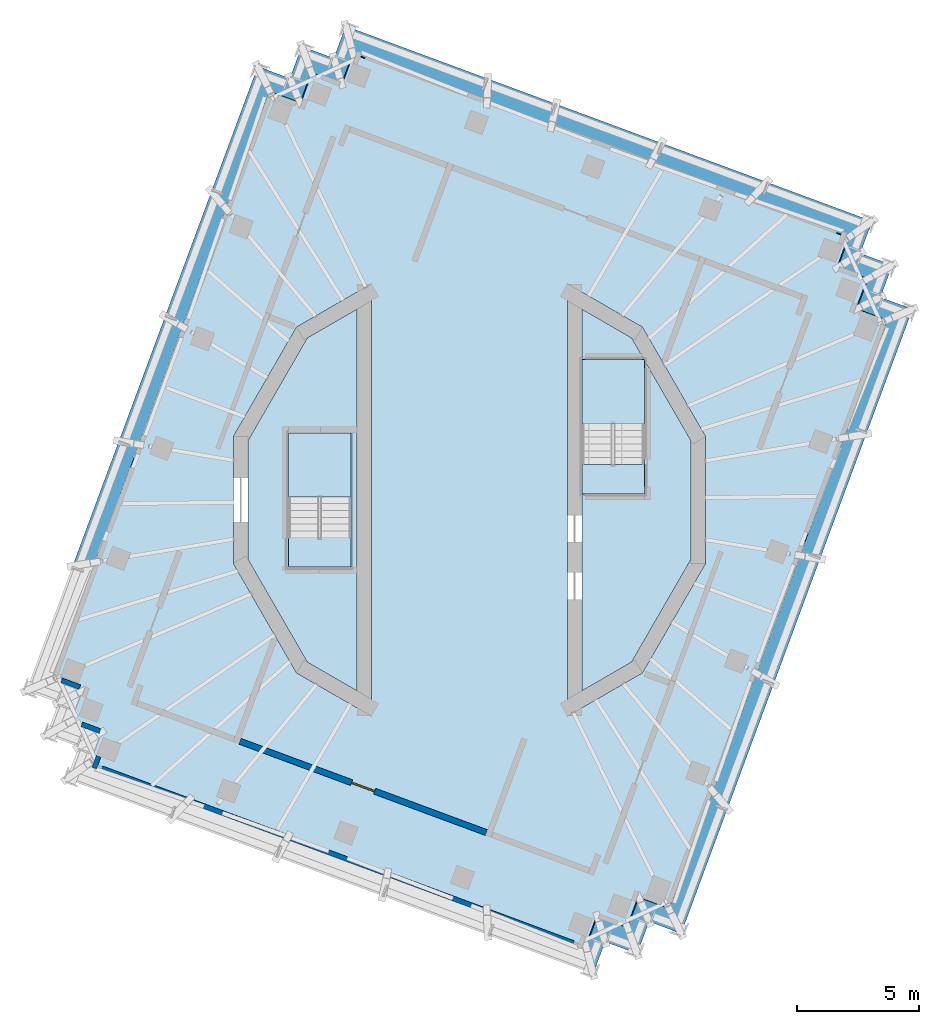
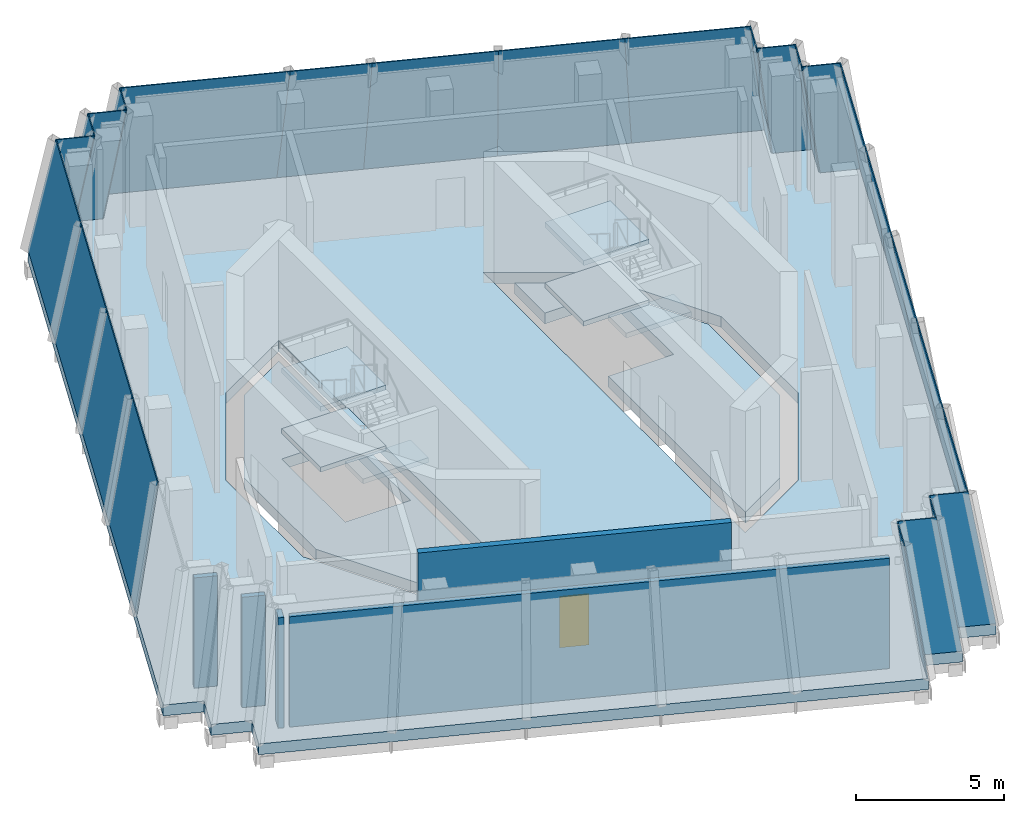
# One storey, part 4 of 13: 26 plates, 10 slabs, 5 walls, 1 door, 1 opening, 28 elements without a shape of their own.
"""IFC4 building model written with IfcOpenShell, lengths in metres."""

from ifc_helpers import new_model, si_unit, direction, frame, frame_2d, origin, place, context, subcontext, project, spatial, polyline, rectangle, outline, extrude, material, layer, layer_set, type_object, element, fill, aggregate, save


model = new_model("IFC4")

# Units and contexts
model_context = context("Model", 3, precision=1e-05, world=origin(), true_north=direction((0.0, 1.0)))
body_context = subcontext(model_context, "Body", "Model", "MODEL_VIEW")
ifc_project = project(units=[si_unit("LENGTHUNIT", "METRE"), si_unit("AREAUNIT", "SQUARE_METRE"), si_unit("VOLUMEUNIT", "CUBIC_METRE"), si_unit("PLANEANGLEUNIT", "RADIAN"), si_unit("MASSUNIT", "GRAM", prefix="KILO")], contexts=[model_context])

# Site, building, storey
site_placement = place(None, origin())
site = spatial("IfcSite", under=ifc_project, at=site_placement, CompositionType="ELEMENT")
building_placement = place(site_placement, origin())
building = spatial("IfcBuilding", under=site, at=building_placement, Name="Cantera Rosa Tower", CompositionType="ELEMENT")
storey_placement = place(building_placement, frame((0.0, 0.0, 350.699951171875)))
storey = spatial("IfcBuildingStorey", under=building, at=storey_placement, Name="L79", CompositionType="ELEMENT", Elevation=350.699951171875)

# Curtain wall, plate
ifc_material_1 = material(Name="Aluminium frame with clear glass", Category="aluminium")
curtain_wall_type = type_object("IfcCurtainWallType", Name="CW4 CROWN GLAZING", PredefinedType="NOTDEFINED", material=ifc_material_1)
curtain_wall_1_placement = place(storey_placement, origin())
curtain_wall_1 = element("IfcCurtainWall", 1, at=curtain_wall_1_placement, inside=storey, type_object=curtain_wall_type, Name="CW4 L79-01", PredefinedType="NOTDEFINED")
ifc_material_2 = material(Name="Aluminium frame with clear glass", Category="aluminium")
ifc_layer_1 = layer(ifc_material_2, 0.0400390625)
ifc_layer_set_1 = layer_set([ifc_layer_1], Name="CW-PANEL CROWN 40")
plate_type = type_object("IfcPlateType", Name="CW-PANEL CROWN 40", PredefinedType="CURTAIN_PANEL", material=ifc_layer_set_1)
plate_1_placement = place(storey_placement, frame((16.468505859375, 11.403076171875, 0.0), z_axis=(0.341522224821, 0.921609746079, 0.184385590232), x_axis=(-0.937687211594, 0.347480493278, -2.096087e-06)))
plate_1 = element("IfcPlate", 2, at=plate_1_placement, type_object=plate_type, Name="CROWN GLAZING L79-01", PredefinedType="CURTAIN_PANEL", context=body_context, shape_type="SweptSolid", body=[
    extrude(outline(polyline([(0.0, 0.0), (4.592070765368151, 0.0), (4.985437888242863, 5.087236283995121), (0.6558540402996874, 5.087217257200142), (0.0, 0.0)])), origin(), (0.0, 0.0, -1.0), 0.0400390625),
])
aggregate(curtain_wall_1, [plate_1])

curtain_wall_2_placement = place(storey_placement, origin())
curtain_wall_2 = element("IfcCurtainWall", 3, at=curtain_wall_2_placement, inside=storey, type_object=curtain_wall_type, Name="CW4 L79-02", PredefinedType="NOTDEFINED")
plate_2_placement = place(storey_placement, frame((12.16259765625, 12.998779296875, 0.0), z_axis=(0.341506968707, 0.921614261854, 0.184391276018), x_axis=(-0.937693003725, 0.347464862634, 6.63717e-07)))
plate_2 = element("IfcPlate", 4, at=plate_2_placement, type_object=plate_type, Name="CROWN GLAZING L79-02", PredefinedType="CURTAIN_PANEL", context=body_context, shape_type="SweptSolid", body=[
    extrude(outline(polyline([(0.0, 0.0), (4.591757004639263, 0.0), (4.722980406988993, 5.0872279834906315), (0.39339655872504253, 5.087234008043115), (0.0, 0.0)])), origin(), (0.0, 0.0, -1.0), 0.0400390625),
])
aggregate(curtain_wall_2, [plate_2])

curtain_wall_3_placement = place(storey_placement, origin())
curtain_wall_3 = element("IfcCurtainWall", 5, at=curtain_wall_3_placement, inside=storey, type_object=curtain_wall_type, Name="CW4 L79-03", PredefinedType="NOTDEFINED")
plate_3_placement = place(storey_placement, frame((7.85693359375, 14.59423828125, 0.0), z_axis=(0.341546443509, 0.921602522504, 0.18437683542), x_axis=(-0.937678598238, 0.347503735807, 2.553921e-06)))
plate_3 = element("IfcPlate", 6, at=plate_3_placement, type_object=plate_type, Name="CROWN GLAZING L79-03", PredefinedType="CURTAIN_PANEL", context=body_context, shape_type="SweptSolid", body=[
    extrude(outline(polyline([(0.0, 0.0), (4.592070765224333, 1.1102230246251565e-16), (4.460862651078163, 5.087205559465082), (0.1311939660491304, 5.087228742334468), (0.0, 0.0)])), origin(), (0.0, 0.0, -1.0), 0.0400390625),
])
aggregate(curtain_wall_3, [plate_3])

curtain_wall_4_placement = place(storey_placement, origin())
curtain_wall_4 = element("IfcCurtainWall", 7, at=curtain_wall_4_placement, inside=storey, type_object=curtain_wall_type, Name="CW4 L79-04", PredefinedType="NOTDEFINED")
plate_4_placement = place(storey_placement, frame((3.551025390625, 16.18994140625, 0.0), z_axis=(0.341520516546, 0.921615967652, 0.184357654974), x_axis=(-0.937688838122, 0.347476104006, 2.443755e-06)))
plate_4 = element("IfcPlate", 8, at=plate_4_placement, type_object=plate_type, Name="CROWN GLAZING L79-04", PredefinedType="CURTAIN_PANEL", context=body_context, shape_type="SweptSolid", body=[
    extrude(outline(polyline([(0.0, 0.0), (2.9777712330029997, 0.0), (2.6763417401322247, 5.087191873869117), (-0.1311810267327554, 5.0872062582702), (0.0, 0.0)])), origin(), (0.0, 0.0, -1.0), 0.0400390625),
])
aggregate(curtain_wall_4, [plate_4])

curtain_wall_5_placement = place(storey_placement, origin())
curtain_wall_5 = element("IfcCurtainWall", 9, at=curtain_wall_5_placement, inside=storey, type_object=curtain_wall_type, Name="CW4 L79-05", PredefinedType="NOTDEFINED")
plate_5_placement = place(storey_placement, frame((0.7587890625, 17.224609375, 0.0), z_axis=(0.341508252087, 0.921620544878, 0.184357492428), x_axis=(-0.937693239662, 0.347464225916, -1.030303e-06)))
plate_5 = element("IfcPlate", 10, at=plate_5_placement, type_object=plate_type, Name="CROWN GLAZING L79-05", PredefinedType="CURTAIN_PANEL", context=body_context, shape_type="SweptSolid", body=[
    extrude(outline(polyline([(0.0, 0.0), (6.206285464193242, -5.551115123125783e-17), (5.55020994701362, 5.087204188559047), (-0.3014349833644322, 5.087191548574853), (0.0, 0.0)])), origin(), (0.0, 0.0, -1.0), 0.0400390625),
])
aggregate(curtain_wall_5, [plate_5])

curtain_wall_6_placement = place(storey_placement, origin())
curtain_wall_6 = element("IfcCurtainWall", 11, at=curtain_wall_6_placement, inside=storey, type_object=curtain_wall_type, Name="CW4 L79-06", PredefinedType="NOTDEFINED")
plate_6_placement = place(storey_placement, frame((-5.060791015625, 19.381103515625, 0.0), z_axis=(-0.929730762182, 0.344499643956, 0.130079610883), x_axis=(-0.347450770163, -0.937698225577, 7.960392e-06)))
plate_6 = element("IfcPlate", 12, at=plate_6_placement, type_object=plate_type, Name="CROWN GLAZING L79-06", PredefinedType="CURTAIN_PANEL", context=body_context, shape_type="SweptSolid", body=[
    extrude(outline(polyline([(0.0, 0.0), (1.399932932883505, 0.0), (2.258013432178528, 5.042828149574177), (0.9379475140119368, 5.042849987373964), (0.0, 0.0)])), origin(), (0.0, 0.0, -1.0), 0.0400390625),
])
aggregate(curtain_wall_6, [plate_6])

curtain_wall_7_placement = place(storey_placement, origin())
curtain_wall_7 = element("IfcCurtainWall", 13, at=curtain_wall_7_placement, inside=storey, type_object=curtain_wall_type, Name="CW4 L79-07", PredefinedType="NOTDEFINED")
plate_7_placement = place(storey_placement, frame((-5.547119140625, 18.068359375, 0.0), z_axis=(0.342524068307, 0.924160367149, 0.169129767991), x_axis=(-0.937668441513, 0.347531140737, -2.940399e-06)))
plate_7 = element("IfcPlate", 14, at=plate_7_placement, type_object=plate_type, Name="CROWN GLAZING L79-07", PredefinedType="CURTAIN_PANEL", context=body_context, shape_type="SweptSolid", body=[
    extrude(outline(polyline([(0.0, 0.0), (1.4000177669687917, -1.3877787807814457e-17), (0.664093496409026, 5.0730858864195545), (-0.6559724244688222, 5.073077771382148), (0.0, 0.0)])), origin(), (0.0, 0.0, -1.0), 0.0400390625),
])
aggregate(curtain_wall_7, [plate_7])

curtain_wall_8_placement = place(storey_placement, origin())
curtain_wall_8 = element("IfcCurtainWall", 15, at=curtain_wall_8_placement, inside=storey, type_object=curtain_wall_type, Name="CW4 L79-08", PredefinedType="NOTDEFINED")
plate_8_placement = place(storey_placement, frame((-6.85986328125, 18.554931640625, 0.0), z_axis=(-0.92767391997, 0.343826305937, 0.145617888853), x_axis=(-0.347531018335, -0.93766848688, -2.541259e-06)))
plate_8 = element("IfcPlate", 16, at=plate_8_placement, type_object=plate_type, Name="CROWN GLAZING L79-08", PredefinedType="CURTAIN_PANEL", context=body_context, shape_type="SweptSolid", body=[
    extrude(outline(polyline([(0.0, 0.0), (1.40001776696718, 0.0), (2.1780871389273977, 5.053875261051842), (0.8580212180448054, 5.053868274140967), (0.0, 0.0)])), origin(), (0.0, 0.0, -1.0), 0.0400390625),
])
aggregate(curtain_wall_8, [plate_8])

curtain_wall_9_placement = place(storey_placement, origin())
curtain_wall_9 = element("IfcCurtainWall", 17, at=curtain_wall_9_placement, inside=storey, type_object=curtain_wall_type, Name="CW4 L79-09", PredefinedType="NOTDEFINED")
plate_9_placement = place(storey_placement, frame((-7.346435546875, 17.2421875, 0.0), z_axis=(0.343426938812, 0.926507697012, 0.153757682982), x_axis=(-0.937657886518, 0.347559617686, 2.059493e-06)))
plate_9 = element("IfcPlate", 18, at=plate_9_placement, type_object=plate_type, Name="CROWN GLAZING L79-09", PredefinedType="CURTAIN_PANEL", context=body_context, shape_type="SweptSolid", body=[
    extrude(outline(polyline([(0.0, 0.0), (1.4000177670547838, 1.3877787807814457e-17), (0.5838647468002559, 5.06017139772412), (-0.7359722523190296, 5.0601770666564745), (0.0, 0.0)])), origin(), (0.0, 0.0, -1.0), 0.0400390625),
])
aggregate(curtain_wall_9, [plate_9])

curtain_wall_10_placement = place(storey_placement, origin())
curtain_wall_10 = element("IfcCurtainWall", 19, at=curtain_wall_10_placement, inside=storey, type_object=curtain_wall_type, Name="CW4 L79-10", PredefinedType="NOTDEFINED")
plate_10_placement = place(storey_placement, frame((-8.6591796875, 17.728759765625, 0.0), z_axis=(-0.925441302354, 0.342950023707, 0.161070410494), x_axis=(-0.347486761499, -0.937684888742, 2.816856e-06)))
plate_10 = element("IfcPlate", 20, at=plate_10_placement, type_object=plate_type, Name="CROWN GLAZING L79-10", PredefinedType="CURTAIN_PANEL", context=body_context, shape_type="SweptSolid", body=[
    extrude(outline(polyline([(0.0, 0.0), (5.446026539598171, -5.551115123125783e-17), (5.913060651244437, 5.06613224933501), (0.7780991972490946, 5.066162448770942), (0.0, 0.0)])), origin(), (0.0, 0.0, -1.0), 0.0400390625),
])
aggregate(curtain_wall_10, [plate_10])

curtain_wall_11_placement = place(storey_placement, origin())
curtain_wall_11 = element("IfcCurtainWall", 21, at=curtain_wall_11_placement, inside=storey, type_object=curtain_wall_type, Name="CW4 L79-11", PredefinedType="NOTDEFINED")
plate_11_placement = place(storey_placement, frame((-10.551513671875, 12.6220703125, 0.0), z_axis=(-0.925438670244, 0.342957487423, 0.161069641576), x_axis=(-0.347495107307, -0.937681795915, -2.590768e-06)))
plate_11 = element("IfcPlate", 22, at=plate_11_placement, type_object=plate_type, Name="CROWN GLAZING L79-11", PredefinedType="CURTAIN_PANEL", context=body_context, shape_type="SweptSolid", body=[
    extrude(outline(polyline([(0.0, 0.0), (5.446111376221841, -5.551115123125783e-17), (5.601647502320626, 5.0661631863450545), (0.4669998115380004, 5.066135411397358), (0.0, 0.0)])), origin(), (0.0, 0.0, -1.0), 0.0400390625),
])
aggregate(curtain_wall_11, [plate_11])

curtain_wall_12_placement = place(storey_placement, origin())
curtain_wall_12 = element("IfcCurtainWall", 23, at=curtain_wall_12_placement, inside=storey, type_object=curtain_wall_type, Name="CW4 L79-12", PredefinedType="NOTDEFINED")
plate_12_placement = place(storey_placement, frame((-12.444091796875, 7.515380859375, 0.0), z_axis=(-0.925445736306, 0.342928894486, 0.161089920478), x_axis=(-0.347467000163, -0.937692211655, -6.22612e-07)))
plate_12 = element("IfcPlate", 24, at=plate_12_placement, type_object=plate_type, Name="CROWN GLAZING L79-12", PredefinedType="CURTAIN_PANEL", context=body_context, shape_type="SweptSolid", body=[
    extrude(outline(polyline([(0.0, 0.0), (5.4460265403903065, -5.551115123125783e-17), (5.290447049116157, 5.0661688087760455), (0.15557042913581742, 5.066162133805904), (0.0, 0.0)])), origin(), (0.0, 0.0, -1.0), 0.0400390625),
])
aggregate(curtain_wall_12, [plate_12])

curtain_wall_13_placement = place(storey_placement, origin())
curtain_wall_13 = element("IfcCurtainWall", 25, at=curtain_wall_13_placement, inside=storey, type_object=curtain_wall_type, Name="CW4 L79-13", PredefinedType="NOTDEFINED")
plate_13_placement = place(storey_placement, frame((-14.33642578125, 2.40869140625, 0.0), z_axis=(-0.925443053228, 0.342936338859, 0.16108948669), x_axis=(-0.34747432303, -0.937689498093, 6.52061e-07)))
plate_13 = element("IfcPlate", 26, at=plate_13_placement, type_object=plate_type, Name="CROWN GLAZING L79-13", PredefinedType="CURTAIN_PANEL", context=body_context, shape_type="SweptSolid", body=[
    extrude(outline(polyline([(0.0, 0.0), (5.446026540386368, 0.0), (4.979068200108061, 5.06616181822633), (-0.15557949144484884, 5.066168808766569), (0.0, 0.0)])), origin(), (0.0, 0.0, -1.0), 0.0400390625),
])
aggregate(curtain_wall_13, [plate_13])

curtain_wall_14_placement = place(storey_placement, origin())
curtain_wall_14 = element("IfcCurtainWall", 27, at=curtain_wall_14_placement, inside=storey, type_object=curtain_wall_type, Name="CW4 L79-24", PredefinedType="NOTDEFINED")
plate_14_placement = place(storey_placement, frame((5.060791015625, -19.381103515625, 0.0), z_axis=(0.929730762182, -0.344499643956, 0.130079610883), x_axis=(0.347450770163, 0.937698225577, 7.960392e-06)))
plate_14 = element("IfcPlate", 28, at=plate_14_placement, type_object=plate_type, Name="CROWN GLAZING L79-24", PredefinedType="CURTAIN_PANEL", context=body_context, shape_type="SweptSolid", body=[
    extrude(outline(polyline([(0.0, 0.0), (1.399932932883505, 0.0), (2.258013432178528, 5.042828149574177), (0.9379475140119368, 5.042849987373964), (0.0, 0.0)])), origin(), (0.0, 0.0, -1.0), 0.0400390625),
])
aggregate(curtain_wall_14, [plate_14])

curtain_wall_15_placement = place(storey_placement, origin())
curtain_wall_15 = element("IfcCurtainWall", 29, at=curtain_wall_15_placement, inside=storey, type_object=curtain_wall_type, Name="CW4 L79-25", PredefinedType="NOTDEFINED")
plate_15_placement = place(storey_placement, frame((5.547119140625, -18.068359375, 0.0), z_axis=(-0.342524068307, -0.924160367149, 0.169129767991), x_axis=(0.937668441513, -0.347531140737, -2.940399e-06)))
plate_15 = element("IfcPlate", 30, at=plate_15_placement, type_object=plate_type, Name="CROWN GLAZING L79-25", PredefinedType="CURTAIN_PANEL", context=body_context, shape_type="SweptSolid", body=[
    extrude(outline(polyline([(0.0, 0.0), (1.4000177669687917, -1.3877787807814457e-17), (0.664093496409026, 5.0730858864195545), (-0.6559724244688222, 5.073077771382148), (0.0, 0.0)])), origin(), (0.0, 0.0, -1.0), 0.0400390625),
])
aggregate(curtain_wall_15, [plate_15])

curtain_wall_16_placement = place(storey_placement, origin())
curtain_wall_16 = element("IfcCurtainWall", 31, at=curtain_wall_16_placement, inside=storey, type_object=curtain_wall_type, Name="CW4 L79-26", PredefinedType="NOTDEFINED")
plate_16_placement = place(storey_placement, frame((6.85986328125, -18.554931640625, 0.0), z_axis=(0.92767391997, -0.343826305937, 0.145617888853), x_axis=(0.347531018335, 0.93766848688, -2.541259e-06)))
plate_16 = element("IfcPlate", 32, at=plate_16_placement, type_object=plate_type, Name="CROWN GLAZING L79-26", PredefinedType="CURTAIN_PANEL", context=body_context, shape_type="SweptSolid", body=[
    extrude(outline(polyline([(0.0, 0.0), (1.40001776696718, 0.0), (2.1780871389273977, 5.053875261051842), (0.8580212180448054, 5.053868274140967), (0.0, 0.0)])), origin(), (0.0, 0.0, -1.0), 0.0400390625),
])
aggregate(curtain_wall_16, [plate_16])

curtain_wall_17_placement = place(storey_placement, origin())
curtain_wall_17 = element("IfcCurtainWall", 33, at=curtain_wall_17_placement, inside=storey, type_object=curtain_wall_type, Name="CW4 L79-27", PredefinedType="NOTDEFINED")
plate_17_placement = place(storey_placement, frame((7.346435546875, -17.2421875, 0.0), z_axis=(-0.343426938812, -0.926507697012, 0.153757682982), x_axis=(0.937657886518, -0.347559617686, 2.059493e-06)))
plate_17 = element("IfcPlate", 34, at=plate_17_placement, type_object=plate_type, Name="CROWN GLAZING L79-27", PredefinedType="CURTAIN_PANEL", context=body_context, shape_type="SweptSolid", body=[
    extrude(outline(polyline([(0.0, 0.0), (1.4000177670547838, 1.3877787807814457e-17), (0.5838647468002559, 5.06017139772412), (-0.7359722523190296, 5.0601770666564745), (0.0, 0.0)])), origin(), (0.0, 0.0, -1.0), 0.0400390625),
])
aggregate(curtain_wall_17, [plate_17])

curtain_wall_18_placement = place(storey_placement, origin())
curtain_wall_18 = element("IfcCurtainWall", 35, at=curtain_wall_18_placement, inside=storey, type_object=curtain_wall_type, Name="CW4 L79-28", PredefinedType="NOTDEFINED")
plate_18_placement = place(storey_placement, frame((8.6591796875, -17.728759765625, 0.0), z_axis=(0.925441302354, -0.342950023707, 0.161070410494), x_axis=(0.347486761499, 0.937684888742, 2.816856e-06)))
plate_18 = element("IfcPlate", 36, at=plate_18_placement, type_object=plate_type, Name="CROWN GLAZING L79-28", PredefinedType="CURTAIN_PANEL", context=body_context, shape_type="SweptSolid", body=[
    extrude(outline(polyline([(0.0, 0.0), (5.446026539598171, -5.551115123125783e-17), (5.913060651244437, 5.06613224933501), (0.7780991972490946, 5.066162448770942), (0.0, 0.0)])), origin(), (0.0, 0.0, -1.0), 0.0400390625),
])
aggregate(curtain_wall_18, [plate_18])

curtain_wall_19_placement = place(storey_placement, origin())
curtain_wall_19 = element("IfcCurtainWall", 37, at=curtain_wall_19_placement, inside=storey, type_object=curtain_wall_type, Name="CW4 L79-29", PredefinedType="NOTDEFINED")
plate_19_placement = place(storey_placement, frame((10.551513671875, -12.6220703125, 0.0), z_axis=(0.925438670244, -0.342957487423, 0.161069641576), x_axis=(0.347495107307, 0.937681795915, -2.590768e-06)))
plate_19 = element("IfcPlate", 38, at=plate_19_placement, type_object=plate_type, Name="CROWN GLAZING L79-29", PredefinedType="CURTAIN_PANEL", context=body_context, shape_type="SweptSolid", body=[
    extrude(outline(polyline([(0.0, 0.0), (5.446111376221841, -5.551115123125783e-17), (5.601647502320626, 5.0661631863450545), (0.4669998115380004, 5.066135411397358), (0.0, 0.0)])), origin(), (0.0, 0.0, -1.0), 0.0400390625),
])
aggregate(curtain_wall_19, [plate_19])

curtain_wall_20_placement = place(storey_placement, origin())
curtain_wall_20 = element("IfcCurtainWall", 39, at=curtain_wall_20_placement, inside=storey, type_object=curtain_wall_type, Name="CW4 L79-30", PredefinedType="NOTDEFINED")
plate_20_placement = place(storey_placement, frame((12.444091796875, -7.515380859375, 0.0), z_axis=(0.925445736306, -0.342928894486, 0.161089920478), x_axis=(0.347467000163, 0.937692211655, -6.22612e-07)))
plate_20 = element("IfcPlate", 40, at=plate_20_placement, type_object=plate_type, Name="CROWN GLAZING L79-30", PredefinedType="CURTAIN_PANEL", context=body_context, shape_type="SweptSolid", body=[
    extrude(outline(polyline([(0.0, 0.0), (5.4460265403903065, -5.551115123125783e-17), (5.290447049116157, 5.0661688087760455), (0.15557042913581742, 5.066162133805904), (0.0, 0.0)])), origin(), (0.0, 0.0, -1.0), 0.0400390625),
])
aggregate(curtain_wall_20, [plate_20])

curtain_wall_21_placement = place(storey_placement, origin())
curtain_wall_21 = element("IfcCurtainWall", 41, at=curtain_wall_21_placement, inside=storey, type_object=curtain_wall_type, Name="CW4 L79-31", PredefinedType="NOTDEFINED")
plate_21_placement = place(storey_placement, frame((14.33642578125, -2.40869140625, 0.0), z_axis=(0.925443053228, -0.342936338859, 0.16108948669), x_axis=(0.34747432303, 0.937689498093, 6.52061e-07)))
plate_21 = element("IfcPlate", 42, at=plate_21_placement, type_object=plate_type, Name="CROWN GLAZING L79-31", PredefinedType="CURTAIN_PANEL", context=body_context, shape_type="SweptSolid", body=[
    extrude(outline(polyline([(0.0, 0.0), (5.446026540386368, 0.0), (4.979068200108061, 5.06616181822633), (-0.15557949144484884, 5.066168808766569), (0.0, 0.0)])), origin(), (0.0, 0.0, -1.0), 0.0400390625),
])
aggregate(curtain_wall_21, [plate_21])

curtain_wall_22_placement = place(storey_placement, origin())
curtain_wall_22 = element("IfcCurtainWall", 43, at=curtain_wall_22_placement, inside=storey, type_object=curtain_wall_type, Name="CW4 L79-32", PredefinedType="NOTDEFINED")
plate_22_placement = place(storey_placement, frame((16.228759765625, 2.697998046875, 0.0), z_axis=(0.925442066759, -0.342950306981, 0.161065415329), x_axis=(0.347486761525, 0.937684888732, 2.816771e-06)))
plate_22 = element("IfcPlate", 44, at=plate_22_placement, type_object=plate_type, Name="CROWN GLAZING L79-32", PredefinedType="CURTAIN_PANEL", context=body_context, shape_type="SweptSolid", body=[
    extrude(outline(polyline([(0.0, 0.0), (5.44602653959817, 0.0), (4.668003111894595, 5.066131618711678), (-0.46695834210075104, 5.066161817211055), (0.0, 0.0)])), origin(), (0.0, 0.0, -1.0), 0.0400390625),
])
aggregate(curtain_wall_22, [plate_22])

curtain_wall_23_placement = place(storey_placement, origin())
curtain_wall_23 = element("IfcCurtainWall", 45, at=curtain_wall_23_placement, inside=storey, type_object=curtain_wall_type, Name="CW4 L79-33", PredefinedType="NOTDEFINED")
plate_23_placement = place(storey_placement, frame((18.12109375, 7.8046875, 0.0), z_axis=(0.343321305783, 0.926550679803, 0.153734572402), x_axis=(-0.937698369538, 0.347450381606, 9.375808e-06)))
plate_23 = element("IfcPlate", 46, at=plate_23_placement, type_object=plate_type, Name="CROWN GLAZING L79-33", PredefinedType="CURTAIN_PANEL", context=body_context, shape_type="SweptSolid", body=[
    extrude(outline(polyline([(0.0, 0.0), (1.399932932901407, 0.0), (2.136027576945504, 5.06013393208069), (0.8159616588315967, 5.06015974108173), (0.0, 0.0)])), origin(), (0.0, 0.0, -1.0), 0.0400390625),
])
aggregate(curtain_wall_23, [plate_23])

curtain_wall_24_placement = place(storey_placement, origin())
curtain_wall_24 = element("IfcCurtainWall", 47, at=curtain_wall_24_placement, inside=storey, type_object=curtain_wall_type, Name="CW4 L79-34", PredefinedType="NOTDEFINED")
plate_24_placement = place(storey_placement, frame((16.808349609375, 8.291015625, 0.0), z_axis=(0.927663084565, -0.343855204235, 0.145618680314), x_axis=(0.347559648657, 0.937657875038, 1.952908e-06)))
plate_24 = element("IfcPlate", 48, at=plate_24_placement, type_object=plate_type, Name="CROWN GLAZING L79-34", PredefinedType="CURTAIN_PANEL", context=body_context, shape_type="SweptSolid", body=[
    extrude(outline(polyline([(0.0, 0.0), (1.4000177670544702, -1.3877787807814457e-17), (0.5419278341201468, 5.053869191672536), (-0.7779091650000611, 5.053874560525867), (0.0, 0.0)])), origin(), (0.0, 0.0, -1.0), 0.0400390625),
])
aggregate(curtain_wall_24, [plate_24])

curtain_wall_25_placement = place(storey_placement, origin())
curtain_wall_25 = element("IfcCurtainWall", 49, at=curtain_wall_25_placement, inside=storey, type_object=curtain_wall_type, Name="CW4 L79-35", PredefinedType="NOTDEFINED")
plate_25_placement = place(storey_placement, frame((17.294921875, 9.603759765625, 0.0), z_axis=(0.342523016044, 0.924157528051, 0.16914741153), x_axis=(-0.937668441477, 0.347531140835, -2.940696e-06)))
plate_25 = element("IfcPlate", 50, at=plate_25_placement, type_object=plate_type, Name="CROWN GLAZING L79-35", PredefinedType="CURTAIN_PANEL", context=body_context, shape_type="SweptSolid", body=[
    extrude(outline(polyline([(0.0, 0.0), (1.400017766968793, 0.0), (2.0559964924200957, 5.07310562462255), (0.7359305715422514, 5.073097508738586), (0.0, 0.0)])), origin(), (0.0, 0.0, -1.0), 0.0400390625),
])
aggregate(curtain_wall_25, [plate_25])

curtain_wall_26_placement = place(storey_placement, origin())
curtain_wall_26 = element("IfcCurtainWall", 51, at=curtain_wall_26_placement, inside=storey, type_object=curtain_wall_type, Name="CW4 L79-36", PredefinedType="NOTDEFINED")
plate_26_placement = place(storey_placement, frame((15.982177734375, 10.09033203125, 0.0), z_axis=(0.92973056563, -0.344499571126, 0.130081208585), x_axis=(0.347450770139, 0.937698225586, 7.960488e-06)))
plate_26 = element("IfcPlate", 52, at=plate_26_placement, type_object=plate_type, Name="CROWN GLAZING L79-36", PredefinedType="CURTAIN_PANEL", context=body_context, shape_type="SweptSolid", body=[
    extrude(outline(polyline([(0.0, 0.0), (1.3999329328835064, 0.0), (0.46203527628787167, 5.042843634822559), (-0.8580306418787165, 5.042865472890568), (0.0, 0.0)])), origin(), (0.0, 0.0, -1.0), 0.0400390625),
])
aggregate(curtain_wall_26, [plate_26])

# Slabs
ifc_material_3 = material(Name="Concrete C50/60", Category="concrete")
ifc_layer_2 = layer(ifc_material_3, 0.449951171875)
ifc_layer_set_2 = layer_set([ifc_layer_2], Name="RC CROWN PLATE 450 C50/60")
slab_type_1 = type_object("IfcSlabType", Name="RC CROWN PLATE 450 C50/60", PredefinedType="FLOOR", material=ifc_layer_set_2)
slab_1_placement = place(storey_placement, frame((0.0, 0.0, -0.449951171875)))
element("IfcSlab", 53, at=slab_1_placement, inside=storey, type_object=slab_type_1, Name="SLAB L79 floor 1", PredefinedType="FLOOR", context=body_context, shape_type="SweptSolid", body=[
    extrude(outline(polyline([(-4.60009765625, -7.804931640625), (-6.6318359375, -6.6318359375), (-9.059326171875, -2.427490234375), (-9.059326171875, 2.427490234375), (-6.6318359375, 6.6318359375), (-4.60009765625, 7.804931640625), (-4.60009765625, -7.804931640625)]), holes=[polyline([(-7.39990234375, 2.75), (-7.39990234375, -1.5380859375), (-4.85009765625, -1.5380859375), (-4.85009765625, 2.75), (-7.39990234375, 2.75)])]), origin(), (0.0, 0.0, 1.0), 0.449951171875),
])
slab_2_placement = place(storey_placement, frame((0.0, 0.0, -0.449951171875)))
element("IfcSlab", 54, at=slab_2_placement, inside=storey, type_object=slab_type_1, Name="SLAB L79 floor 2", PredefinedType="FLOOR", context=body_context, shape_type="SweptSolid", body=[
    extrude(outline(polyline([(17.294921875, 9.603759765625), (16.808349609375, 8.291015625), (18.12109375, 7.8046875), (8.6591796875, -17.728515625), (7.346435546875, -17.2421875), (6.860107421875, -18.554931640625), (5.547119140625, -18.068603515625), (5.060791015625, -19.381103515625), (-16.468505859375, -11.403076171875), (-15.982177734375, -10.09033203125), (-17.294921875, -9.603759765625), (-16.808349609375, -8.291015625), (-18.12109375, -7.8046875), (-8.6591796875, 17.728515625), (-7.346435546875, 17.2421875), (-6.860107421875, 18.554931640625), (-5.547119140625, 18.068603515625), (-5.060791015625, 19.381103515625), (16.468505859375, 11.403076171875), (15.982177734375, 10.09033203125), (17.294921875, 9.603759765625)]), holes=[polyline([(-9.6591796875, -2.588134765625), (-7.071044921875, -7.071044921875), (-4.0, -8.843994140625), (-4.0, 8.843994140625), (-7.071044921875, 7.071044921875), (-9.6591796875, 2.588134765625), (-9.6591796875, -2.588134765625)]), polyline([(9.6591796875, 2.588134765625), (7.071044921875, 7.071044921875), (4.0, 8.843994140625), (4.0, -8.843994140625), (7.071044921875, -7.071044921875), (9.6591796875, -2.588134765625), (9.6591796875, 2.588134765625)])]), origin(), (0.0, 0.0, 1.0), 0.449951171875),
])
slab_3_placement = place(storey_placement, frame((0.0, 0.0, -0.449951171875)))
element("IfcSlab", 55, at=slab_3_placement, inside=storey, type_object=slab_type_1, Name="SLAB L79 floor 3", PredefinedType="FLOOR", context=body_context, shape_type="SweptSolid", body=[
    extrude(outline(polyline([(4.60009765625, 5.75), (4.60009765625, 7.804931640625), (6.6318359375, 6.6318359375), (7.14111328125, 5.75), (4.60009765625, 5.75)])), origin(), (0.0, 0.0, 1.0), 0.449951171875),
])
slab_4_placement = place(storey_placement, frame((0.0, 0.0, -0.449951171875)))
element("IfcSlab", 56, at=slab_4_placement, inside=storey, type_object=slab_type_1, Name="SLAB L79 floor 4", PredefinedType="FLOOR", context=body_context, shape_type="SweptSolid", body=[
    extrude(outline(polyline([(4.60009765625, 1.4619140625), (7.14990234375, 1.4619140625), (7.14990234375, 5.734375), (9.059326171875, 2.427490234375), (9.059326171875, -2.427490234375), (6.6318359375, -6.6318359375), (4.60009765625, -7.804931640625), (4.60009765625, 1.4619140625)])), origin(), (0.0, 0.0, 1.0), 0.449951171875),
])

# Stair, slabs
ifc_material_4 = material(Name="Concrete C35/45", Category="concrete")
stair_type = type_object("IfcStairType", Name="EXIT STAIR 1200 DOGLEG", PredefinedType="HALF_TURN_STAIR", material=ifc_material_4)
stair_1_placement = place(storey_placement, origin())
stair_1 = element("IfcStair", 57, at=stair_1_placement, inside=storey, type_object=stair_type, Name="L79 ST-71", PredefinedType="HALF_TURN_STAIR")
ifc_material_5 = material(Name="Concrete C35/45", Category="concrete")
ifc_layer_3 = layer(ifc_material_5, 0.199951171875)
ifc_layer_set_3 = layer_set([ifc_layer_3], Name="STAIR LANDING 200")
slab_type_2 = type_object("IfcSlabType", Name="STAIR LANDING 200", PredefinedType="LANDING", material=ifc_layer_set_3)
slab_5_placement = place(storey_placement, frame((0.0, 0.0, 1.050048828125)))
slab_5 = element("IfcSlab", 58, at=slab_5_placement, type_object=slab_type_2, Name="ST-71 landing 1", PredefinedType="LANDING", context=body_context, shape_type="SweptSolid", body=[
    extrude(outline(polyline([(-4.85009765625, 0.117919921875), (-4.85009765625, 2.75), (-7.39990234375, 2.75), (-7.39990234375, 0.117919921875), (-4.85009765625, 0.117919921875)])), origin(), (0.0, 0.0, 1.0), 0.199951171875),
])
slab_6_placement = place(storey_placement, frame((0.0, 0.0, 2.300048828125)))
slab_6 = element("IfcSlab", 59, at=slab_6_placement, type_object=slab_type_2, Name="ST-71 landing 2", PredefinedType="LANDING", context=body_context, shape_type="SweptSolid", body=[
    extrude(outline(polyline([(-4.85009765625, -2.75), (-4.85009765625, -1.5380859375), (-7.39990234375, -1.5380859375), (-7.39990234375, -2.75), (-4.85009765625, -2.75)])), origin(), (0.0, 0.0, 1.0), 0.199951171875),
])
slab_7_placement = place(storey_placement, frame((0.0, 0.0, 3.550048828125)))
slab_7 = element("IfcSlab", 60, at=slab_7_placement, type_object=slab_type_2, Name="ST-71 landing 3", PredefinedType="LANDING", context=body_context, shape_type="SweptSolid", body=[
    extrude(outline(polyline([(-4.85009765625, 0.117919921875), (-4.85009765625, 2.75), (-7.39990234375, 2.75), (-7.39990234375, 0.117919921875), (-4.85009765625, 0.117919921875)])), origin(), (0.0, 0.0, 1.0), 0.199951171875),
])
aggregate(stair_1, [slab_5, slab_6, slab_7])

stair_2_placement = place(storey_placement, origin())
stair_2 = element("IfcStair", 61, at=stair_2_placement, inside=storey, type_object=stair_type, Name="L79 ST-72", PredefinedType="HALF_TURN_STAIR")
slab_8_placement = place(storey_placement, frame((0.0, 0.0, 1.050048828125)))
slab_8 = element("IfcSlab", 62, at=slab_8_placement, type_object=slab_type_2, Name="ST-72 landing 1", PredefinedType="LANDING", context=body_context, shape_type="SweptSolid", body=[
    extrude(outline(polyline([(7.14990234375, 3.117919921875), (7.14990234375, 5.75), (4.60009765625, 5.75), (4.60009765625, 3.117919921875), (7.14990234375, 3.117919921875)])), origin(), (0.0, 0.0, 1.0), 0.199951171875),
])
slab_9_placement = place(storey_placement, frame((0.0, 0.0, 2.300048828125)))
slab_9 = element("IfcSlab", 63, at=slab_9_placement, type_object=slab_type_2, Name="ST-72 landing 2", PredefinedType="LANDING", context=body_context, shape_type="SweptSolid", body=[
    extrude(outline(polyline([(7.14990234375, 0.25), (7.14990234375, 1.4619140625), (4.60009765625, 1.4619140625), (4.60009765625, 0.25), (7.14990234375, 0.25)])), origin(), (0.0, 0.0, 1.0), 0.199951171875),
])
slab_10_placement = place(storey_placement, frame((0.0, 0.0, 3.550048828125)))
slab_10 = element("IfcSlab", 64, at=slab_10_placement, type_object=slab_type_2, Name="ST-72 landing 3", PredefinedType="LANDING", context=body_context, shape_type="SweptSolid", body=[
    extrude(outline(polyline([(7.14990234375, 3.117919921875), (7.14990234375, 5.75), (4.60009765625, 5.75), (4.60009765625, 3.117919921875), (7.14990234375, 3.117919921875)])), origin(), (0.0, 0.0, 1.0), 0.199951171875),
])
aggregate(stair_2, [slab_8, slab_9, slab_10])

# Walls
ifc_material_6 = material(Name="Masonry blockwork", Category="masonry")
ifc_layer_4 = layer(ifc_material_6, 0.199951171875)
ifc_layer_set_4 = layer_set([ifc_layer_4], Name="Blockwork partition 200")
wall_type_1 = type_object("IfcWallType", Name="Blockwork partition 200", PredefinedType="PARTITIONING", material=ifc_layer_set_4)
wall_1_placement = place(storey_placement, frame((-15.106689453125, -9.454833984375, 0.0), z_axis=(0.0, 0.0, 1.0), x_axis=(-0.937763484234, 0.347274599759, 0.0)))
element("IfcWall", 65, at=wall_1_placement, inside=storey, type_object=wall_type_1, Name="Partition L79-24", PredefinedType="PARTITIONING", context=body_context, shape_type="SweptSolid", body=[
    extrude(rectangle(XDim=0.800048828125, YDim=0.199951171875, at=frame_2d((0.39990234375, 0.0))), origin(), (0.0, 0.0, 1.0), 4.550048828125),
])
wall_2_placement = place(storey_placement, frame((4.248291015625, -18.120361328125, 0.0), z_axis=(0.0, 0.0, 1.0), x_axis=(-0.937685576628, 0.347484905261, 0.0)))
element("IfcWall", 66, at=wall_2_placement, inside=storey, type_object=wall_type_1, Name="Partition L79-27", PredefinedType="PARTITIONING", context=body_context, shape_type="SweptSolid", body=[
    extrude(rectangle(XDim=20.56005859375, YDim=0.199951171875, at=frame_2d((10.280029296875, 0.0))), origin(), (0.0, 0.0, 1.0), 4.550048828125),
])
wall_3_placement = place(storey_placement, frame((-15.3466796875, -10.965576171875, 0.0), z_axis=(0.0, 0.0, 1.0), x_axis=(0.347391322771, 0.937720250855, 0.0)))
element("IfcWall", 67, at=wall_3_placement, inside=storey, type_object=wall_type_1, Name="Partition L79-28", PredefinedType="PARTITIONING", context=body_context, shape_type="SweptSolid", body=[
    extrude(rectangle(XDim=0.5166015625, YDim=0.199951171875, at=frame_2d((0.25830078125, 0.0))), origin(), (0.0, 0.0, 1.0), 4.550048828125),
])
wall_4_placement = place(storey_placement, frame((-15.93310546875, -7.655517578125, 0.0), z_axis=(0.0, 0.0, 1.0), x_axis=(-0.937726665975, 0.34737400582, 0.0)))
element("IfcWall", 68, at=wall_4_placement, inside=storey, type_object=wall_type_1, Name="Partition L79-33", PredefinedType="PARTITIONING", context=body_context, shape_type="SweptSolid", body=[
    extrude(rectangle(XDim=0.7998046875, YDim=0.199951171875, at=frame_2d((0.39990234375, 0.0))), origin(), (0.0, 0.0, 1.0), 4.550048828125),
])

# Wall, opening, door
ifc_material_7 = material(Name="Masonry blockwork", Category="masonry")
ifc_layer_5 = layer(ifc_material_7, 0.25)
ifc_layer_set_5 = layer_set([ifc_layer_5], Name="Fire-rated wall 250")
wall_type_2 = type_object("IfcWallType", Name="Fire-rated wall 250", PredefinedType="PARTITIONING", material=ifc_layer_set_5)
wall_5_placement = place(storey_placement, frame((0.69140625, -13.602783203125, 0.0), z_axis=(0.0, 0.0, 1.0), x_axis=(-0.937691218406, 0.347469680583, 0.0)))
wall_5 = element("IfcWall", 69, at=wall_5_placement, inside=storey, type_object=wall_type_2, Name="Fire wall L79-4", PredefinedType="PARTITIONING", context=body_context, shape_type="SweptSolid", body=[
    extrude(rectangle(XDim=10.750244140625, YDim=0.25, at=frame_2d((5.375, 0.0))), origin(), (0.0, 0.0, 1.0), 4.550048828125),
])
opening_placement = place(wall_5_placement, frame((4.875, 0.0, 0.0)))
opening = element("IfcOpeningElement", 70, at=opening_placement, cuts=wall_5, Name="Opening L79-006", PredefinedType="OPENING", context=body_context, shape_type="SweptSolid", body=[
    extrude(rectangle(XDim=1.0, YDim=2.10009765625, at=frame_2d((0.5, 1.050048828125))), frame((0.0, 0.135009765625, 0.0), z_axis=(0.0, -1.0, 0.0), x_axis=(1.0, 0.0, 0.0)), (0.0, 0.0, 1.0), 0.27001953125),
])
ifc_material_8 = material(Name="Steel S355J2 (EN 10025-2)", Category="steel")
door_type = type_object("IfcDoorType", Name="Fire door 1000x2100", OperationType="NOTDEFINED", PredefinedType="DOOR", material=ifc_material_8)
door_placement = place(opening_placement, origin())
door = element("IfcDoor", 71, at=door_placement, inside=storey, type_object=door_type, Name="Door L79-006", OverallHeight=2.10009765625, OverallWidth=1.0, PredefinedType="DOOR", context=body_context, shape_type="SweptSolid", body=[
    extrude(rectangle(XDim=1.0, YDim=2.10009765625, at=frame_2d((0.5, 1.050048828125))), frame((0.0, 0.02490234375, 0.0), z_axis=(0.0, -1.0, 0.0), x_axis=(1.0, 0.0, 0.0)), (0.0, 0.0, 1.0), 0.050048828125),
])
fill(opening, door)

save(model, "model.ifc")
